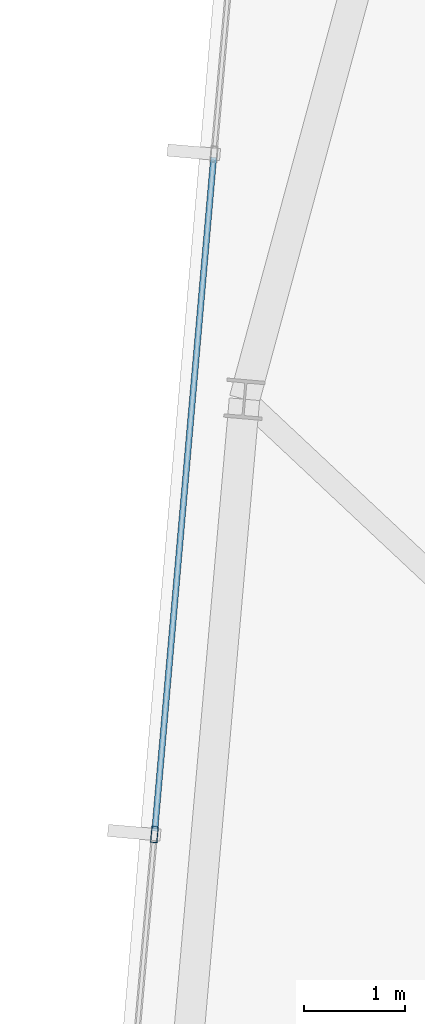
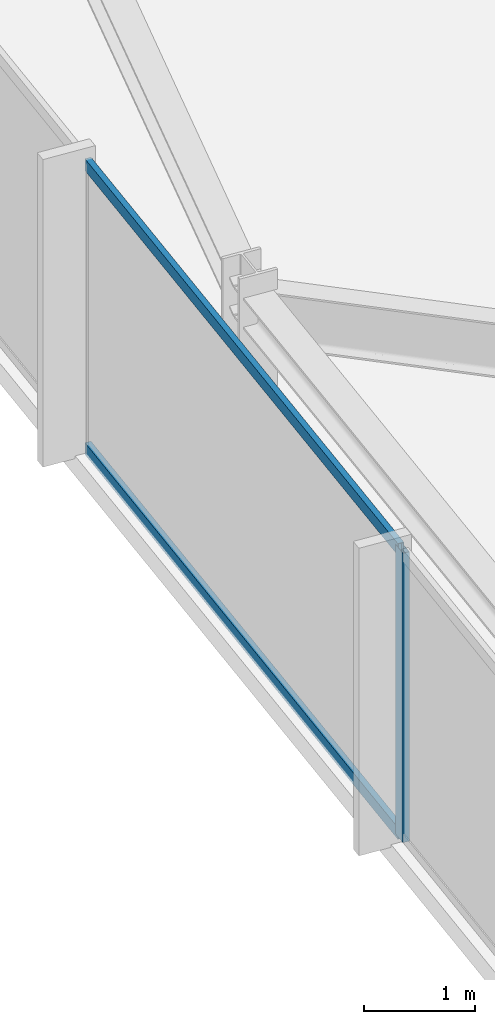
# One storey, part 9 of 33: 3 members, 1 element without a shape of its own.
"""IFC4 building model written with IfcOpenShell, lengths in metres."""

from ifc_helpers import new_model, si_unit, direction, frame, origin, origin_2d, place, context, subcontext, project, spatial, hollow_rectangle, extrude, material, material_profile, profile_set, type_object, element, aggregate, save


model = new_model("IFC4")

# Units and contexts
model_context = context("Model", 3, precision=1e-05, world=origin(), true_north=direction((0.0, 1.0)))
body_context = subcontext(model_context, "Body", "Model", "MODEL_VIEW")
ifc_project = project(units=[si_unit("LENGTHUNIT", "METRE"), si_unit("AREAUNIT", "SQUARE_METRE"), si_unit("VOLUMEUNIT", "CUBIC_METRE"), si_unit("PLANEANGLEUNIT", "RADIAN"), si_unit("MASSUNIT", "GRAM", prefix="KILO")], contexts=[model_context])

# Site, building, storey
site_placement = place(None, origin())
site = spatial("IfcSite", under=ifc_project, at=site_placement, CompositionType="ELEMENT")
building_placement = place(site_placement, origin())
building = spatial("IfcBuilding", under=site, at=building_placement, Name="Yelkora Congress Tower", CompositionType="ELEMENT")
storey_placement = place(building_placement, frame((0.0, 0.0, 286.300048828125)))
storey = spatial("IfcBuildingStorey", under=building, at=storey_placement, Name="L80", CompositionType="ELEMENT", Elevation=286.300048828125)

# Curtain wall, members
ifc_material_1 = material(Name="Anodised aluminium and insulated glass", Category="aluminium")
curtain_wall_type = type_object("IfcCurtainWallType", Name="CW-SYS-B5", PredefinedType="NOTDEFINED", material=ifc_material_1)
curtain_wall_placement = place(storey_placement, origin())
curtain_wall = element("IfcCurtainWall", 1, at=curtain_wall_placement, inside=storey, type_object=curtain_wall_type, Name="L80 Unitised Curtain Wall 5", PredefinedType="NOTDEFINED")
ifc_material_2 = material(Name="Anodised aluminium 6063-T6", Category="aluminium")
ifc_material_profile_1 = material_profile(ifc_material_2, hollow_rectangle(XDim=0.06494140625, YDim=0.159912109375, WallThickness=0.00390625, at=origin_2d()), Name="ALU 65x160x4")
ifc_profile_set_1 = profile_set([ifc_material_profile_1], Name="Anodised aluminium 6063-T6")
member_type_1 = type_object("IfcMemberType", Name="MEM-ML-B5", PredefinedType="MULLION", material=ifc_profile_set_1)
member_1_placement = place(storey_placement, frame((6.900146484375, 35.200927734375, 0.0), z_axis=(0.0, 0.0, 1.0), x_axis=(-0.996194785929, 0.08715473876, 0.0)))
member_1 = element("IfcMember", 2, at=member_1_placement, type_object=member_type_1, Name="CW-B5 mullion 3", PredefinedType="MULLION", context=body_context, shape_type="SweptSolid", body=[
    extrude(hollow_rectangle(XDim=0.06494140625, YDim=0.159912109375, WallThickness=0.00390625, at=origin_2d()), origin(), (0.0, 0.0, 1.0), 3.179931640625),
])
ifc_material_profile_2 = material_profile(ifc_material_2, hollow_rectangle(XDim=0.06005859375, YDim=0.1298828125, WallThickness=0.00390625, at=origin_2d()), Name="ALU 60x130x4")
ifc_profile_set_2 = profile_set([ifc_material_profile_2], Name="Anodised aluminium 6063-T6")
member_type_2 = type_object("IfcMemberType", Name="MEM-TR-B5", PredefinedType="USERDEFINED", material=ifc_profile_set_2)
member_2_placement = place(storey_placement, frame((6.903076171875, 35.2333984375, 0.030029296875), z_axis=(0.087143321513, 0.996195784731, 0.0), x_axis=(-0.996195784731, 0.087143321513, 0.0)))
member_2 = element("IfcMember", 3, at=member_2_placement, type_object=member_type_2, Name="CW-B5 transom 3.1", ObjectType="TRANSOM", PredefinedType="USERDEFINED", context=body_context, shape_type="SweptSolid", body=[
    extrude(hollow_rectangle(XDim=0.06005859375, YDim=0.1298828125, WallThickness=0.00390625, at=origin_2d()), origin(), (0.0, 0.0, 1.0), 6.6650390625),
])
member_3_placement = place(storey_placement, frame((6.903076171875, 35.2333984375, 3.14990234375), z_axis=(0.087143321513, 0.996195784731, 0.0), x_axis=(-0.996195784731, 0.087143321513, 0.0)))
member_3 = element("IfcMember", 4, at=member_3_placement, type_object=member_type_2, Name="CW-B5 transom 3.2", ObjectType="TRANSOM", PredefinedType="USERDEFINED", context=body_context, shape_type="SweptSolid", body=[
    extrude(hollow_rectangle(XDim=0.06005859375, YDim=0.1298828125, WallThickness=0.00390625, at=origin_2d()), origin(), (0.0, 0.0, 1.0), 6.6650390625),
])
aggregate(curtain_wall, [member_1, member_2, member_3])

save(model, "model.ifc")
